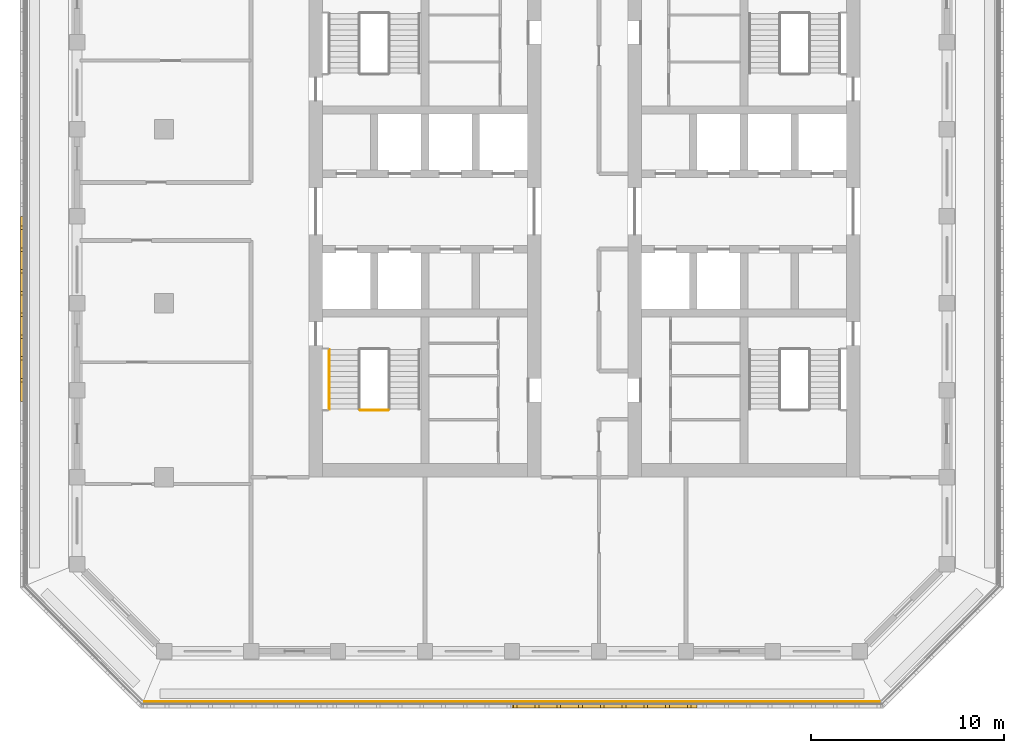
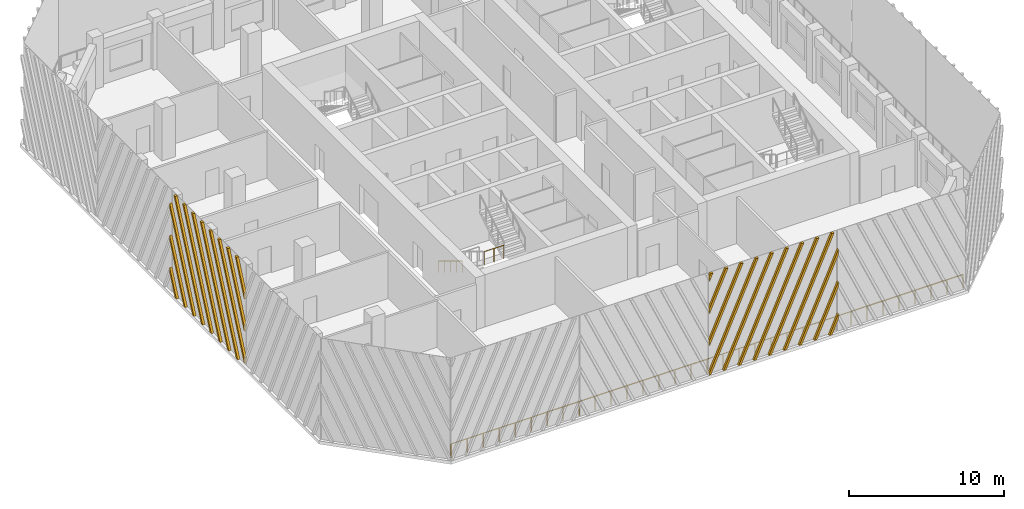
# One storey, part 9 of 15: 3 railings, 2 shading devices.
"""IFC4 building model written with IfcOpenShell, lengths in metres."""

from ifc_helpers import new_model, si_unit, direction, frame, origin, origin_2d, place, context, subcontext, project, spatial, polyline, circle, outline, extrude, source, transform, mapped, material, type_object, element, save


model = new_model("IFC4")

# Units and contexts
model_context = context("Model", 3, precision=1e-05, world=origin(), true_north=direction((0.0, 1.0)))
body_context = subcontext(model_context, "Body", "Model", "MODEL_VIEW")
ifc_project = project(units=[si_unit("LENGTHUNIT", "METRE"), si_unit("AREAUNIT", "SQUARE_METRE"), si_unit("VOLUMEUNIT", "CUBIC_METRE"), si_unit("PLANEANGLEUNIT", "RADIAN"), si_unit("MASSUNIT", "GRAM", prefix="KILO")], contexts=[model_context])

# Site, building, storey
site_placement = place(None, origin())
site = spatial("IfcSite", under=ifc_project, at=site_placement, CompositionType="ELEMENT")
building_placement = place(site_placement, origin())
building = spatial("IfcBuilding", under=site, at=building_placement, Name="Corbel Stack Research Tower", CompositionType="ELEMENT")
storey_placement = place(building_placement, frame((0.0, 0.0, 282.699951171875)))
storey = spatial("IfcBuildingStorey", under=building, at=storey_placement, Name="L64", CompositionType="ELEMENT", Elevation=282.699951171875)

# Railings
ifc_material_1 = material(Name="Steel S355", Category="steel")
railing_type_1 = type_object("IfcRailingType", Name="Stair guard 1100", PredefinedType="GUARDRAIL", material=ifc_material_1)
railing_1_placement = place(storey_placement, frame((-7.85009765625, -5.530029296875, 2.050048828125)))
element("IfcRailing", 1, at=railing_1_placement, inside=storey, type_object=railing_type_1, Name="L64 ST-W1 stair guard 2", PredefinedType="GUARDRAIL", context=body_context, shape_type="SweptSolid", body=[
    extrude(circle(Radius=0.02392578125, at=origin_2d()), frame((0.0, 0.0, 1.076171875), z_axis=(1.0, 0.0, 0.0), x_axis=(0.0, 1.0, 0.0)), (0.0, 0.0, 1.0), 1.4501953125),
    extrude(circle(Radius=0.02099609375, at=origin_2d()), origin(), (0.0, 0.0, 1.0), 1.052001953125),
    extrude(circle(Radius=0.02099609375, at=origin_2d()), frame((0.72509765625, 0.0, 0.0)), (0.0, 0.0, 1.0), 1.052001953125),
    extrude(circle(Radius=0.02099609375, at=origin_2d()), frame((1.4501953125, 0.0, 0.0)), (0.0, 0.0, 1.0), 1.052001953125),
])
ifc_material_2 = material(Name="Steel S355", Category="steel")
railing_type_2 = type_object("IfcRailingType", Name="Stair handrail 900", PredefinedType="HANDRAIL", material=ifc_material_2)
railing_2_placement = place(storey_placement, frame((-9.449951171875, -2.39990234375, 0.1708984375)))
element("IfcRailing", 2, at=railing_2_placement, inside=storey, type_object=railing_type_2, Name="L64 ST-W1 stair handrail 1", PredefinedType="HANDRAIL", context=body_context, shape_type="SweptSolid", body=[
    extrude(circle(Radius=0.02392578125, at=origin_2d()), frame((0.0, 0.0, 0.8759765625), z_axis=(0.0, -0.853666305674, 0.52082035152), x_axis=(1.0, 0.0, 0.0)), (0.0, 0.0, 1.0), 3.608154296875),
    extrude(circle(Radius=0.02099609375, at=origin_2d()), origin(), (0.0, 0.0, 1.0), 0.851806640625),
    extrude(circle(Radius=0.02099609375, at=origin_2d()), frame((0.0, -0.77001953125, 0.4697265625)), (0.0, 0.0, 1.0), 0.851806640625),
    extrude(circle(Radius=0.02099609375, at=origin_2d()), frame((0.0, -1.5400390625, 0.939453125)), (0.0, 0.0, 1.0), 0.851806640625),
    extrude(circle(Radius=0.02099609375, at=origin_2d()), frame((0.0, -2.31005859375, 1.409423828125)), (0.0, 0.0, 1.0), 0.851806640625),
    extrude(circle(Radius=0.02099609375, at=origin_2d()), frame((0.0, -3.080078125, 1.879150390625)), (0.0, 0.0, 1.0), 0.851806640625),
])
ifc_material_3 = material(Name="Powder-coated steel guard", Category="steel")
railing_type_3 = type_object("IfcRailingType", Name="Steel and glass guard 1100", PredefinedType="GUARDRAIL", material=ifc_material_3)
railing_3_placement = place(storey_placement, frame((-19.00537109375, -20.60009765625, 0.0)))
element("IfcRailing", 3, at=railing_3_placement, inside=storey, type_object=railing_type_3, Name="Loggia guard L64 S", PredefinedType="GUARDRAIL", context=body_context, shape_type="SweptSolid", body=[
    extrude(circle(Radius=0.02392578125, at=origin_2d()), frame((0.0, 0.0, 1.076171875), z_axis=(1.0, 0.0, 0.0), x_axis=(0.0, 1.0, 0.0)), (0.0, 0.0, 1.0), 38.0107421875),
    extrude(circle(Radius=0.02099609375, at=origin_2d()), origin(), (0.0, 0.0, 1.0), 1.052001953125),
    extrude(circle(Radius=0.02099609375, at=origin_2d()), frame((1.187744140625, 0.0, 0.0)), (0.0, 0.0, 1.0), 1.052001953125),
    extrude(circle(Radius=0.02099609375, at=origin_2d()), frame((2.375732421875, 0.0, 0.0)), (0.0, 0.0, 1.0), 1.052001953125),
    extrude(circle(Radius=0.02099609375, at=origin_2d()), frame((3.5634765625, 0.0, 0.0)), (0.0, 0.0, 1.0), 1.052001953125),
    extrude(circle(Radius=0.02099609375, at=origin_2d()), frame((4.75146484375, 0.0, 0.0)), (0.0, 0.0, 1.0), 1.052001953125),
    extrude(circle(Radius=0.02099609375, at=origin_2d()), frame((5.939208984375, 0.0, 0.0)), (0.0, 0.0, 1.0), 1.052001953125),
    extrude(circle(Radius=0.02099609375, at=origin_2d()), frame((7.126953125, 0.0, 0.0)), (0.0, 0.0, 1.0), 1.052001953125),
    extrude(circle(Radius=0.02099609375, at=origin_2d()), frame((8.31494140625, 0.0, 0.0)), (0.0, 0.0, 1.0), 1.052001953125),
    extrude(circle(Radius=0.02099609375, at=origin_2d()), frame((9.502685546875, 0.0, 0.0)), (0.0, 0.0, 1.0), 1.052001953125),
    extrude(circle(Radius=0.02099609375, at=origin_2d()), frame((10.6904296875, 0.0, 0.0)), (0.0, 0.0, 1.0), 1.052001953125),
    extrude(circle(Radius=0.02099609375, at=origin_2d()), frame((11.87841796875, 0.0, 0.0)), (0.0, 0.0, 1.0), 1.052001953125),
    extrude(circle(Radius=0.02099609375, at=origin_2d()), frame((13.066162109375, 0.0, 0.0)), (0.0, 0.0, 1.0), 1.052001953125),
    extrude(circle(Radius=0.02099609375, at=origin_2d()), frame((14.25390625, 0.0, 0.0)), (0.0, 0.0, 1.0), 1.052001953125),
    extrude(circle(Radius=0.02099609375, at=origin_2d()), frame((15.44189453125, 0.0, 0.0)), (0.0, 0.0, 1.0), 1.052001953125),
    extrude(circle(Radius=0.02099609375, at=origin_2d()), frame((16.629638671875, 0.0, 0.0)), (0.0, 0.0, 1.0), 1.052001953125),
    extrude(circle(Radius=0.02099609375, at=origin_2d()), frame((17.817626953125, 0.0, 0.0)), (0.0, 0.0, 1.0), 1.052001953125),
    extrude(circle(Radius=0.02099609375, at=origin_2d()), frame((19.00537109375, 0.0, 0.0)), (0.0, 0.0, 1.0), 1.052001953125),
    extrude(circle(Radius=0.02099609375, at=origin_2d()), frame((20.193115234375, 0.0, 0.0)), (0.0, 0.0, 1.0), 1.052001953125),
    extrude(circle(Radius=0.02099609375, at=origin_2d()), frame((21.381103515625, 0.0, 0.0)), (0.0, 0.0, 1.0), 1.052001953125),
    extrude(circle(Radius=0.02099609375, at=origin_2d()), frame((22.56884765625, 0.0, 0.0)), (0.0, 0.0, 1.0), 1.052001953125),
    extrude(circle(Radius=0.02099609375, at=origin_2d()), frame((23.7568359375, 0.0, 0.0)), (0.0, 0.0, 1.0), 1.052001953125),
    extrude(circle(Radius=0.02099609375, at=origin_2d()), frame((24.944580078125, 0.0, 0.0)), (0.0, 0.0, 1.0), 1.052001953125),
    extrude(circle(Radius=0.02099609375, at=origin_2d()), frame((26.13232421875, 0.0, 0.0)), (0.0, 0.0, 1.0), 1.052001953125),
    extrude(circle(Radius=0.02099609375, at=origin_2d()), frame((27.3203125, 0.0, 0.0)), (0.0, 0.0, 1.0), 1.052001953125),
    extrude(circle(Radius=0.02099609375, at=origin_2d()), frame((28.508056640625, 0.0, 0.0)), (0.0, 0.0, 1.0), 1.052001953125),
    extrude(circle(Radius=0.02099609375, at=origin_2d()), frame((29.69580078125, 0.0, 0.0)), (0.0, 0.0, 1.0), 1.052001953125),
    extrude(circle(Radius=0.02099609375, at=origin_2d()), frame((30.8837890625, 0.0, 0.0)), (0.0, 0.0, 1.0), 1.052001953125),
    extrude(circle(Radius=0.02099609375, at=origin_2d()), frame((32.071533203125, 0.0, 0.0)), (0.0, 0.0, 1.0), 1.052001953125),
    extrude(circle(Radius=0.02099609375, at=origin_2d()), frame((33.25927734375, 0.0, 0.0)), (0.0, 0.0, 1.0), 1.052001953125),
    extrude(circle(Radius=0.02099609375, at=origin_2d()), frame((34.447265625, 0.0, 0.0)), (0.0, 0.0, 1.0), 1.052001953125),
    extrude(circle(Radius=0.02099609375, at=origin_2d()), frame((35.635009765625, 0.0, 0.0)), (0.0, 0.0, 1.0), 1.052001953125),
    extrude(circle(Radius=0.02099609375, at=origin_2d()), frame((36.822998046875, 0.0, 0.0)), (0.0, 0.0, 1.0), 1.052001953125),
    extrude(circle(Radius=0.02099609375, at=origin_2d()), frame((38.0107421875, 0.0, 0.0)), (0.0, 0.0, 1.0), 1.052001953125),
])

# Shading devices
ifc_material_4 = material(Name="Precast terracotta", Category="masonry")
shading_device_type = type_object("IfcShadingDeviceType", Name="Terracotta screen panel", PredefinedType="USERDEFINED", material=ifc_material_4)
shared_shape_1 = source(origin(), body_context, "Body", "SweptSolid", [
    extrude(outline(polyline([(0.259521484375, 7.949951171875), (0.069580078125, 7.949951171875), (0.0, 7.793701171875), (0.0, 7.366943359375), (0.259521484375, 7.949951171875)])), frame((0.0, 0.0, 0.0), z_axis=(0.0, -1.0, 0.0), x_axis=(1.0, 0.0, 0.0)), (0.0, 0.0, 1.0), 0.179931640625),
    extrude(outline(polyline([(1.384521484375, 7.949951171875), (1.194580078125, 7.949951171875), (0.0, 5.26708984375), (0.0, 4.840087890625), (1.384521484375, 7.949951171875)])), frame((0.0, 0.0, 0.0), z_axis=(0.0, -1.0, 0.0), x_axis=(1.0, 0.0, 0.0)), (0.0, 0.0, 1.0), 0.179931640625),
    extrude(outline(polyline([(2.509521484375, 7.949951171875), (2.319580078125, 7.949951171875), (0.0, 2.740234375), (0.0, 2.3134765625), (2.509521484375, 7.949951171875)])), frame((0.0, 0.0, 0.0), z_axis=(0.0, -1.0, 0.0), x_axis=(1.0, 0.0, 0.0)), (0.0, 0.0, 1.0), 0.179931640625),
    extrude(outline(polyline([(0.094970703125, 0.0), (3.634521484375, 7.949951171875), (3.444580078125, 7.949951171875), (0.0, 0.21337890625), (0.0, 0.0), (0.094970703125, 0.0)])), frame((0.0, 0.0, 0.0), z_axis=(0.0, -1.0, 0.0), x_axis=(1.0, 0.0, 0.0)), (0.0, 0.0, 1.0), 0.179931640625),
    extrude(outline(polyline([(1.219970703125, 0.0), (4.759521484375, 7.949951171875), (4.569580078125, 7.949951171875), (1.030029296875, 0.0), (1.219970703125, 0.0)])), frame((0.0, 0.0, 0.0), z_axis=(0.0, -1.0, 0.0), x_axis=(1.0, 0.0, 0.0)), (0.0, 0.0, 1.0), 0.179931640625),
    extrude(outline(polyline([(2.344970703125, 0.0), (5.884521484375, 7.949951171875), (5.694580078125, 7.949951171875), (2.155029296875, 0.0), (2.344970703125, 0.0)])), frame((0.0, 0.0, 0.0), z_axis=(0.0, -1.0, 0.0), x_axis=(1.0, 0.0, 0.0)), (0.0, 0.0, 1.0), 0.179931640625),
    extrude(outline(polyline([(3.469970703125, 0.0), (7.009521484375, 7.949951171875), (6.819580078125, 7.949951171875), (3.280029296875, 0.0), (3.469970703125, 0.0)])), frame((0.0, 0.0, 0.0), z_axis=(0.0, -1.0, 0.0), x_axis=(1.0, 0.0, 0.0)), (0.0, 0.0, 1.0), 0.179931640625),
    extrude(outline(polyline([(4.594970703125, 0.0), (8.134521484375, 7.949951171875), (7.944580078125, 7.949951171875), (4.405029296875, 0.0), (4.594970703125, 0.0)])), frame((0.0, 0.0, 0.0), z_axis=(0.0, -1.0, 0.0), x_axis=(1.0, 0.0, 0.0)), (0.0, 0.0, 1.0), 0.179931640625),
    extrude(outline(polyline([(5.719970703125, 0.0), (9.259521484375, 7.949951171875), (9.069580078125, 7.949951171875), (5.530029296875, 0.0), (5.719970703125, 0.0)])), frame((0.0, 0.0, 0.0), z_axis=(0.0, -1.0, 0.0), x_axis=(1.0, 0.0, 0.0)), (0.0, 0.0, 1.0), 0.179931640625),
    extrude(outline(polyline([(6.844970703125, 0.0), (9.569580078125, 6.119384765625), (9.569580078125, 6.546142578125), (6.655029296875, 0.0), (6.844970703125, 0.0)])), frame((0.0, 0.0, 0.0), z_axis=(0.0, -1.0, 0.0), x_axis=(1.0, 0.0, 0.0)), (0.0, 0.0, 1.0), 0.179931640625),
    extrude(outline(polyline([(7.969970703125, 0.0), (9.569580078125, 3.592529296875), (9.569580078125, 4.019287109375), (7.780029296875, 0.0), (7.969970703125, 0.0)])), frame((0.0, 0.0, 0.0), z_axis=(0.0, -1.0, 0.0), x_axis=(1.0, 0.0, 0.0)), (0.0, 0.0, 1.0), 0.179931640625),
    extrude(outline(polyline([(9.094970703125, 0.0), (9.569580078125, 1.06591796875), (9.569580078125, 1.49267578125), (8.905029296875, 0.0), (9.094970703125, 0.0)])), frame((0.0, 0.0, 0.0), z_axis=(0.0, -1.0, 0.0), x_axis=(1.0, 0.0, 0.0)), (0.0, 0.0, 1.0), 0.179931640625),
])
shading_device_1_placement = place(storey_placement, frame((0.0, -20.75, 0.0), z_axis=(0.0, 0.0, 1.0), x_axis=(1.0, 0.0, 0.0)))
element("IfcShadingDevice", 4, at=shading_device_1_placement, inside=storey, type_object=shading_device_type, Name="Terracotta screen L64 S3", ObjectType="SCREEN", PredefinedType="USERDEFINED", context=body_context, shape_type="MappedRepresentation", body=[
    mapped(shared_shape_1, transform((0.0, 0.0, 0.0))),
])
shared_shape_2 = source(origin(), body_context, "Body", "SweptSolid", [
    extrude(outline(polyline([(0.862060546875, 0.0), (0.0, 1.936279296875), (0.0, 1.509521484375), (0.672119140625, 0.0), (0.862060546875, 0.0)])), frame((0.0, 0.0, 0.0), z_axis=(0.0, -1.0, 0.0), x_axis=(1.0, 0.0, 0.0)), (0.0, 0.0, 1.0), 0.179931640625),
    extrude(outline(polyline([(1.987060546875, 0.0), (0.0, 4.463134765625), (0.0, 4.036376953125), (1.797119140625, 0.0), (1.987060546875, 0.0)])), frame((0.0, 0.0, 0.0), z_axis=(0.0, -1.0, 0.0), x_axis=(1.0, 0.0, 0.0)), (0.0, 0.0, 1.0), 0.179931640625),
    extrude(outline(polyline([(3.112060546875, 0.0), (0.0, 6.989990234375), (0.0, 6.563232421875), (2.922119140625, 0.0), (3.112060546875, 0.0)])), frame((0.0, 0.0, 0.0), z_axis=(0.0, -1.0, 0.0), x_axis=(1.0, 0.0, 0.0)), (0.0, 0.0, 1.0), 0.179931640625),
    extrude(outline(polyline([(4.237060546875, 0.0), (0.697509765625, 7.949951171875), (0.507568359375, 7.949951171875), (4.047119140625, 0.0), (4.237060546875, 0.0)])), frame((0.0, 0.0, 0.0), z_axis=(0.0, -1.0, 0.0), x_axis=(1.0, 0.0, 0.0)), (0.0, 0.0, 1.0), 0.179931640625),
    extrude(outline(polyline([(5.362060546875, 0.0), (1.822509765625, 7.949951171875), (1.632568359375, 7.949951171875), (5.172119140625, 0.0), (5.362060546875, 0.0)])), frame((0.0, 0.0, 0.0), z_axis=(0.0, -1.0, 0.0), x_axis=(1.0, 0.0, 0.0)), (0.0, 0.0, 1.0), 0.179931640625),
    extrude(outline(polyline([(6.487060546875, 0.0), (2.947509765625, 7.949951171875), (2.757568359375, 7.949951171875), (6.297119140625, 0.0), (6.487060546875, 0.0)])), frame((0.0, 0.0, 0.0), z_axis=(0.0, -1.0, 0.0), x_axis=(1.0, 0.0, 0.0)), (0.0, 0.0, 1.0), 0.179931640625),
    extrude(outline(polyline([(7.612060546875, 0.0), (4.072509765625, 7.949951171875), (3.882568359375, 7.949951171875), (7.422119140625, 0.0), (7.612060546875, 0.0)])), frame((0.0, 0.0, 0.0), z_axis=(0.0, -1.0, 0.0), x_axis=(1.0, 0.0, 0.0)), (0.0, 0.0, 1.0), 0.179931640625),
    extrude(outline(polyline([(8.737060546875, 0.0), (5.197509765625, 7.949951171875), (5.007568359375, 7.949951171875), (8.547119140625, 0.0), (8.737060546875, 0.0)])), frame((0.0, 0.0, 0.0), z_axis=(0.0, -1.0, 0.0), x_axis=(1.0, 0.0, 0.0)), (0.0, 0.0, 1.0), 0.179931640625),
    extrude(outline(polyline([(6.322509765625, 7.949951171875), (6.132568359375, 7.949951171875), (9.569580078125, 0.23046875), (9.569580078125, 0.6572265625), (6.322509765625, 7.949951171875)])), frame((0.0, 0.0, 0.0), z_axis=(0.0, -1.0, 0.0), x_axis=(1.0, 0.0, 0.0)), (0.0, 0.0, 1.0), 0.179931640625),
    extrude(outline(polyline([(7.447509765625, 7.949951171875), (7.257568359375, 7.949951171875), (9.569580078125, 2.757080078125), (9.569580078125, 3.18408203125), (7.447509765625, 7.949951171875)])), frame((0.0, 0.0, 0.0), z_axis=(0.0, -1.0, 0.0), x_axis=(1.0, 0.0, 0.0)), (0.0, 0.0, 1.0), 0.179931640625),
    extrude(outline(polyline([(8.572509765625, 7.949951171875), (8.382568359375, 7.949951171875), (9.569580078125, 5.283935546875), (9.569580078125, 5.710693359375), (8.572509765625, 7.949951171875)])), frame((0.0, 0.0, 0.0), z_axis=(0.0, -1.0, 0.0), x_axis=(1.0, 0.0, 0.0)), (0.0, 0.0, 1.0), 0.179931640625),
])
shading_device_2_placement = place(storey_placement, frame((-25.25, 4.5, 0.0), z_axis=(0.0, 0.0, 1.0), x_axis=(0.0, -1.0, 0.0)))
element("IfcShadingDevice", 5, at=shading_device_2_placement, inside=storey, type_object=shading_device_type, Name="Terracotta screen L64 W3", ObjectType="SCREEN", PredefinedType="USERDEFINED", context=body_context, shape_type="MappedRepresentation", body=[
    mapped(shared_shape_2, transform((0.0, 0.0, 0.0))),
])

save(model, "model.ifc")
